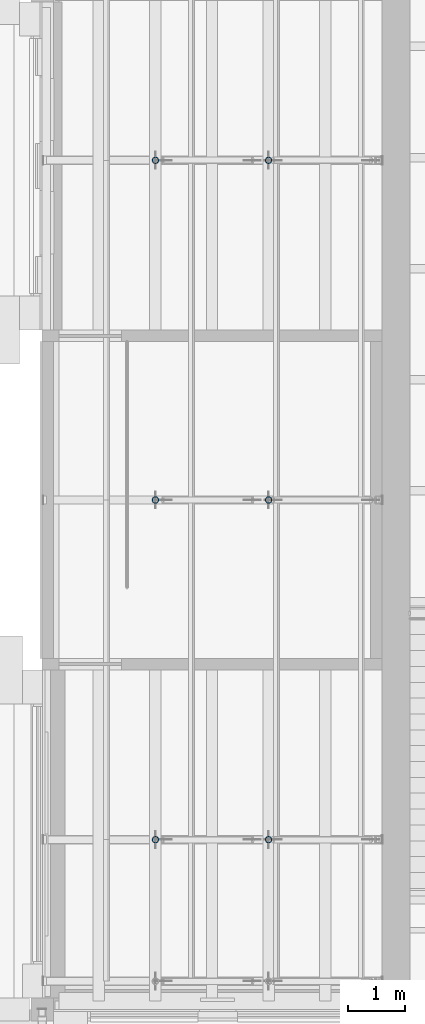
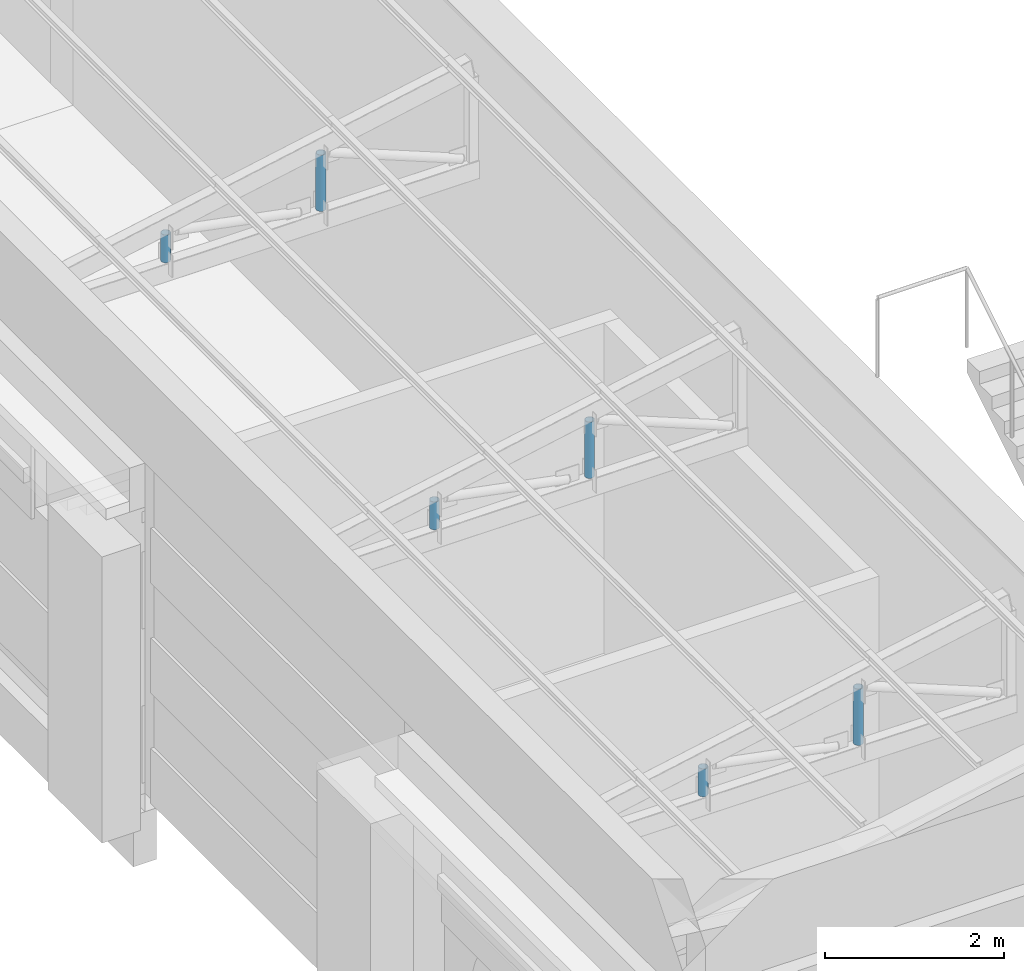
# One storey, part 54 of 118: 6 members.
"""IFC4 building model written with IfcOpenShell, lengths in metres."""

from ifc_helpers import new_model, si_unit, direction, frame, origin, origin_2d, place, context, subcontext, project, spatial, hollow_circle, extrude, material, material_profile, profile_set, type_object, element, save


model = new_model("IFC4")

# Units and contexts
model_context = context("Model", 3, precision=1e-05, world=origin(), true_north=direction((0.0, 1.0)))
body_context = subcontext(model_context, "Body", "Model", "MODEL_VIEW")
ifc_project = project(units=[si_unit("LENGTHUNIT", "METRE"), si_unit("AREAUNIT", "SQUARE_METRE"), si_unit("VOLUMEUNIT", "CUBIC_METRE"), si_unit("PLANEANGLEUNIT", "RADIAN"), si_unit("MASSUNIT", "GRAM", prefix="KILO")], contexts=[model_context])

# Site, building, storey
site_placement = place(None, origin())
site = spatial("IfcSite", under=ifc_project, at=site_placement, CompositionType="ELEMENT")
building_placement = place(site_placement, origin())
building = spatial("IfcBuilding", under=site, at=building_placement, Name="Saffron Lane Theatres", CompositionType="ELEMENT")
storey_placement = place(building_placement, frame((0.0, 0.0, 16.5)))
storey = spatial("IfcBuildingStorey", under=building, at=storey_placement, Name="L03", CompositionType="ELEMENT", Elevation=16.5)

# Members
ifc_material = material(Name="Steel Grade 350", Category="steel")
ifc_material_profile = material_profile(ifc_material, hollow_circle(Radius=0.05712890625, WallThickness=0.006103515625, at=origin_2d()))
ifc_profile_set = profile_set([ifc_material_profile], Name="Steel Grade 350")
member_type = type_object("IfcMemberType", Name="ST-STUDIO TRUSS WEB 114.3x6.0 CHS", PredefinedType="BRACE", material=ifc_profile_set)
member_1_placement = place(storey_placement, frame((14.0, 33.0, 4.75), z_axis=(0.0, 0.0, 1.0), x_axis=(1.0, 0.0, 0.0)))
element("IfcMember", 1, at=member_1_placement, inside=storey, type_object=member_type, Name="SB3-W11", PredefinedType="BRACE", context=body_context, shape_type="SweptSolid", body=[
    extrude(hollow_circle(Radius=0.05712890625, WallThickness=0.006103515625, at=origin_2d()), origin(), (0.0, 0.0, 1.0), 0.377197265625),
])
member_2_placement = place(storey_placement, frame((16.0, 33.0, 4.75), z_axis=(0.0, 0.0, 1.0), x_axis=(1.0, 0.0, 0.0)))
element("IfcMember", 2, at=member_2_placement, inside=storey, type_object=member_type, Name="SB3-W12", PredefinedType="BRACE", context=body_context, shape_type="SweptSolid", body=[
    extrude(hollow_circle(Radius=0.05712890625, WallThickness=0.006103515625, at=origin_2d()), origin(), (0.0, 0.0, 1.0), 0.765625),
])
member_3_placement = place(storey_placement, frame((14.0, 39.0, 4.75), z_axis=(0.0, 0.0, 1.0), x_axis=(1.0, 0.0, 0.0)))
element("IfcMember", 3, at=member_3_placement, inside=storey, type_object=member_type, Name="SB3-W18", PredefinedType="BRACE", context=body_context, shape_type="SweptSolid", body=[
    extrude(hollow_circle(Radius=0.05712890625, WallThickness=0.006103515625, at=origin_2d()), origin(), (0.0, 0.0, 1.0), 0.377197265625),
])
member_4_placement = place(storey_placement, frame((16.0, 39.0, 4.75), z_axis=(0.0, 0.0, 1.0), x_axis=(1.0, 0.0, 0.0)))
element("IfcMember", 4, at=member_4_placement, inside=storey, type_object=member_type, Name="SB3-W19", PredefinedType="BRACE", context=body_context, shape_type="SweptSolid", body=[
    extrude(hollow_circle(Radius=0.05712890625, WallThickness=0.006103515625, at=origin_2d()), origin(), (0.0, 0.0, 1.0), 0.765625),
])
member_5_placement = place(storey_placement, frame((14.0, 45.0, 4.75), z_axis=(0.0, 0.0, 1.0), x_axis=(1.0, 0.0, 0.0)))
element("IfcMember", 5, at=member_5_placement, inside=storey, type_object=member_type, Name="SB3-W25", PredefinedType="BRACE", context=body_context, shape_type="SweptSolid", body=[
    extrude(hollow_circle(Radius=0.05712890625, WallThickness=0.006103515625, at=origin_2d()), origin(), (0.0, 0.0, 1.0), 0.377197265625),
])
member_6_placement = place(storey_placement, frame((16.0, 45.0, 4.75), z_axis=(0.0, 0.0, 1.0), x_axis=(1.0, 0.0, 0.0)))
element("IfcMember", 6, at=member_6_placement, inside=storey, type_object=member_type, Name="SB3-W26", PredefinedType="BRACE", context=body_context, shape_type="SweptSolid", body=[
    extrude(hollow_circle(Radius=0.05712890625, WallThickness=0.006103515625, at=origin_2d()), origin(), (0.0, 0.0, 1.0), 0.765625),
])

save(model, "model.ifc")
